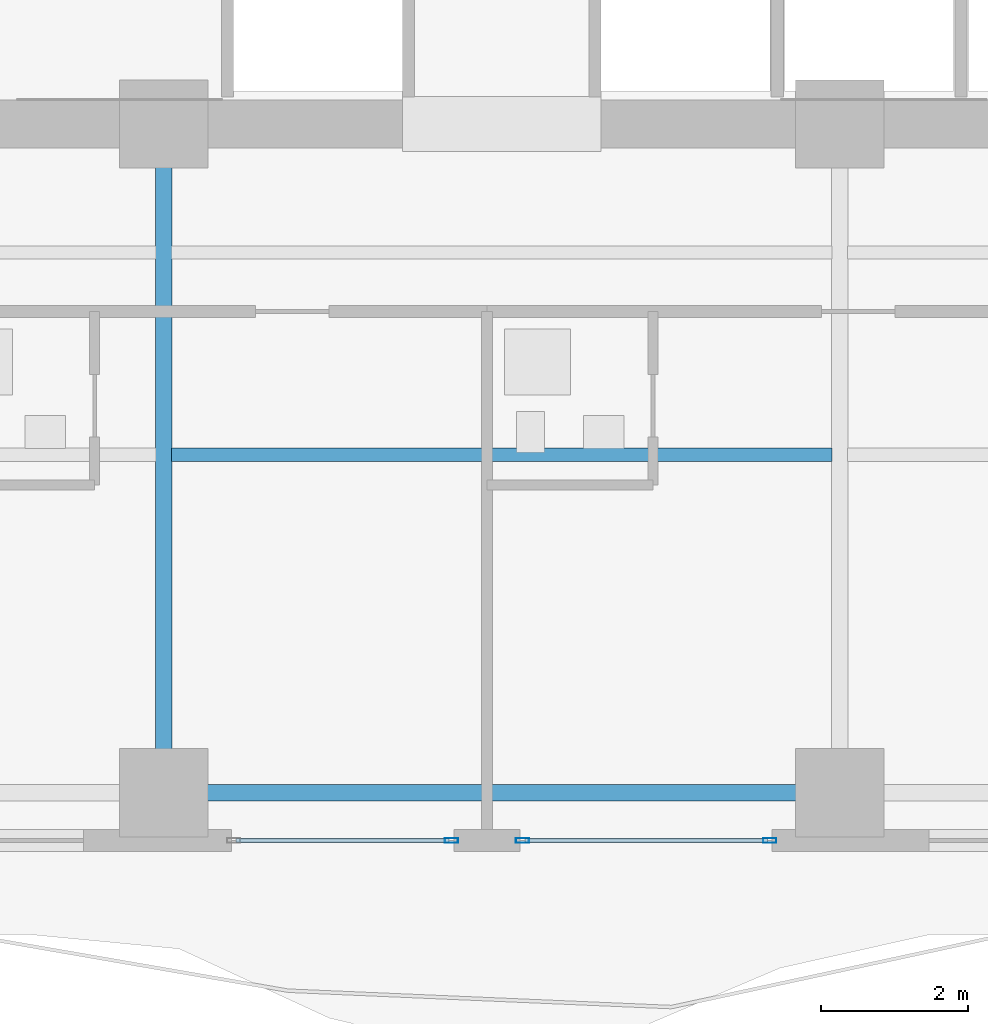
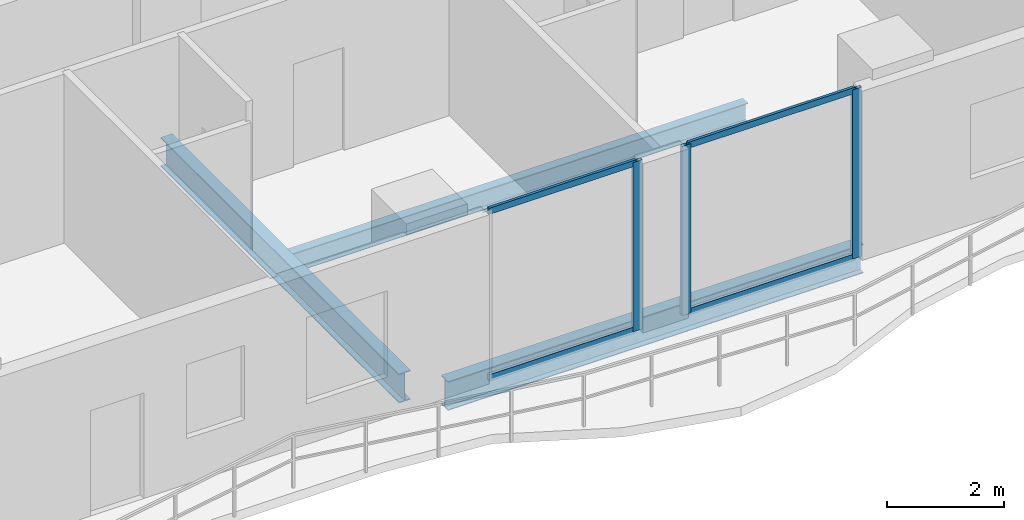
# One storey, part 6 of 33: 7 members, 3 beams, 2 elements without a shape of their own.
"""IFC4 building model written with IfcOpenShell, lengths in metres."""

from ifc_helpers import new_model, si_unit, direction, frame, origin, origin_2d, place, context, subcontext, project, spatial, hollow_rectangle, i_section, extrude, material, layer, layer_set, material_profile, profile_set, type_object, element, aggregate, save


model = new_model("IFC4")

# Units and contexts
model_context = context("Model", 3, precision=1e-05, world=origin(), true_north=direction((0.0, 1.0)))
body_context = subcontext(model_context, "Body", "Model", "MODEL_VIEW")
ifc_project = project(units=[si_unit("LENGTHUNIT", "METRE"), si_unit("AREAUNIT", "SQUARE_METRE"), si_unit("VOLUMEUNIT", "CUBIC_METRE"), si_unit("PLANEANGLEUNIT", "RADIAN"), si_unit("MASSUNIT", "GRAM", prefix="KILO")], contexts=[model_context])

# Site, building, storey
site_placement = place(None, origin())
site = spatial("IfcSite", under=ifc_project, at=site_placement, CompositionType="ELEMENT")
building_placement = place(site_placement, origin())
building = spatial("IfcBuilding", under=site, at=building_placement, Name="Zuhayl Quay Hotel", CompositionType="ELEMENT")
storey_placement = place(building_placement, frame((0.0, 0.0, 199.89990234375)))
storey = spatial("IfcBuildingStorey", under=building, at=storey_placement, Name="L50", CompositionType="ELEMENT", Elevation=199.89990234375)

# Beams
ifc_material_1 = material(Name="Steel ASTM A992 Grade 50", Category="steel")
ifc_material_profile_1 = material_profile(ifc_material_1, i_section(OverallWidth=0.22802734375, OverallDepth=0.60693359375, WebThickness=0.01123046875, FlangeThickness=0.017333984375, at=origin_2d()), Name="W24X76")
ifc_profile_set_1 = profile_set([ifc_material_profile_1], Name="Steel ASTM A992 Grade 50")
beam_type_1 = type_object("IfcBeamType", Name="BM_B3_W24X76", PredefinedType="BEAM", material=ifc_profile_set_1)
beam_1_placement = place(storey_placement, frame((-4.10009765625, -6.949951171875, -0.5234375), z_axis=(1.0, 0.0, 0.0), x_axis=(0.0, 1.0, 0.0)))
element("IfcBeam", 1, at=beam_1_placement, inside=storey, type_object=beam_type_1, Name="L50 Floor Beam RG_L50_02", PredefinedType="BEAM", context=body_context, shape_type="SweptSolid", body=[
    extrude(i_section(OverallWidth=0.22802734375, OverallDepth=0.60693359375, WebThickness=0.01123046875, FlangeThickness=0.017333984375, at=origin_2d()), origin(), (0.0, 0.0, 1.0), 8.2001953125),
])
beam_2_placement = place(storey_placement, frame((-4.60009765625, -6.449951171875, -0.5234375), z_axis=(0.0, 1.0, 0.0), x_axis=(-1.0, 0.0, 0.0)))
element("IfcBeam", 2, at=beam_2_placement, inside=storey, type_object=beam_type_1, Name="L50 Floor Beam FG_S_L50_2", PredefinedType="BEAM", context=body_context, shape_type="SweptSolid", body=[
    extrude(i_section(OverallWidth=0.22802734375, OverallDepth=0.60693359375, WebThickness=0.01123046875, FlangeThickness=0.017333984375, at=origin_2d()), origin(), (0.0, 0.0, 1.0), 8.14990234375),
])
ifc_material_profile_2 = material_profile(ifc_material_1, i_section(OverallWidth=0.177978515625, OverallDepth=0.406005859375, WebThickness=0.0078125, FlangeThickness=0.0126953125, at=origin_2d()), Name="W16X40")
ifc_profile_set_2 = profile_set([ifc_material_profile_2], Name="Steel ASTM A992 Grade 50")
beam_type_2 = type_object("IfcBeamType", Name="BM_J2B_W16X40", PredefinedType="JOIST", material=ifc_profile_set_2)
beam_3_placement = place(storey_placement, frame((-4.493896484375, -2.35009765625, -0.4228515625), z_axis=(1.0, 0.0, 0.0), x_axis=(0.0, 1.0, 0.0)))
element("IfcBeam", 3, at=beam_3_placement, inside=storey, type_object=beam_type_2, Name="L50 Floor Beam FJ_L50_7_2", PredefinedType="JOIST", context=body_context, shape_type="SweptSolid", body=[
    extrude(i_section(OverallWidth=0.177978515625, OverallDepth=0.406005859375, WebThickness=0.0078125, FlangeThickness=0.0126953125, at=origin_2d()), origin(), (0.0, 0.0, 1.0), 8.98779296875),
])

# Curtain wall, members
ifc_material_2 = material(Name="Anodised Aluminium 6063-T6", Category="aluminium")
ifc_layer = layer(ifc_material_2, 0.175048828125, Name="Anodised Aluminium 6063-T6", Category="aluminium")
ifc_layer_set = layer_set([ifc_layer], Name="Anodised Aluminium 6063-T6")
curtain_wall_type = type_object("IfcCurtainWallType", Name="CW_SYS_Z3", PredefinedType="USERDEFINED", material=ifc_layer_set)
curtain_wall_1_placement = place(storey_placement, origin())
curtain_wall_1 = element("IfcCurtainWall", 4, at=curtain_wall_1_placement, inside=storey, type_object=curtain_wall_type, Name="L50 Curtain Wall ENV_L50_S_CW3", ObjectType="UNITISED CURTAIN WALL", PredefinedType="USERDEFINED")
ifc_material_3 = material(Name="Black-anodised aluminium 6063-T6", Category="aluminium")
ifc_material_profile_3 = material_profile(ifc_material_3, hollow_rectangle(XDim=0.06494140625, YDim=0.179931640625, WallThickness=0.00341796875, at=origin_2d()), Name="ALU180X65")
ifc_profile_set_3 = profile_set([ifc_material_profile_3], Name="Black-anodised aluminium 6063-T6")
member_type_1 = type_object("IfcMemberType", Name="MB_CW_MUL_180", PredefinedType="MULLION", material=ifc_profile_set_3)
member_1_placement = place(storey_placement, frame((3.6474609375, -7.60009765625, 0.0), z_axis=(0.0, 0.0, 1.0), x_axis=(0.0, -1.0, 0.0)))
member_1 = element("IfcMember", 5, at=member_1_placement, type_object=member_type_1, Name="CW-Z3 mullion 1", PredefinedType="MULLION", context=body_context, shape_type="SweptSolid", body=[
    extrude(hollow_rectangle(XDim=0.06494140625, YDim=0.179931640625, WallThickness=0.00341796875, at=origin_2d()), origin(), (0.0, 0.0, 1.0), 3.530029296875),
])
member_2_placement = place(storey_placement, frame((0.282470703125, -7.60009765625, 0.0), z_axis=(0.0, 0.0, 1.0), x_axis=(0.0, -1.0, 0.0)))
member_2 = element("IfcMember", 6, at=member_2_placement, type_object=member_type_1, Name="CW-Z3 mullion 2", PredefinedType="MULLION", context=body_context, shape_type="SweptSolid", body=[
    extrude(hollow_rectangle(XDim=0.06494140625, YDim=0.179931640625, WallThickness=0.00341796875, at=origin_2d()), origin(), (0.0, 0.0, 1.0), 3.530029296875),
])

# Curtain wall, member
curtain_wall_2_placement = place(storey_placement, origin())
curtain_wall_2 = element("IfcCurtainWall", 7, at=curtain_wall_2_placement, inside=storey, type_object=curtain_wall_type, Name="L50 Curtain Wall ENV_L50_S_CW4", ObjectType="UNITISED CURTAIN WALL", PredefinedType="USERDEFINED")
member_3_placement = place(storey_placement, frame((-0.6826171875, -7.60009765625, 0.0), z_axis=(0.0, 0.0, 1.0), x_axis=(0.0, -1.0, 0.0)))
member_3 = element("IfcMember", 8, at=member_3_placement, type_object=member_type_1, Name="CW-Z3 mullion 1", PredefinedType="MULLION", context=body_context, shape_type="SweptSolid", body=[
    extrude(hollow_rectangle(XDim=0.06494140625, YDim=0.179931640625, WallThickness=0.00341796875, at=origin_2d()), origin(), (0.0, 0.0, 1.0), 3.530029296875),
])

# Member
ifc_material_profile_4 = material_profile(ifc_material_3, hollow_rectangle(XDim=0.054931640625, YDim=0.1298828125, WallThickness=0.0029296875, at=origin_2d()), Name="ALU130X55")
ifc_profile_set_4 = profile_set([ifc_material_profile_4], Name="Black-anodised aluminium 6063-T6")
member_type_2 = type_object("IfcMemberType", Name="MB_CW_TRN_130", PredefinedType="USERDEFINED", material=ifc_profile_set_4)
member_4_placement = place(storey_placement, frame((3.614990234375, -7.60009765625, 0.027587890625), z_axis=(-1.0, 0.0, 0.0), x_axis=(0.0, -1.0, 0.0)))
member_4 = element("IfcMember", 9, at=member_4_placement, type_object=member_type_2, Name="CW-Z3 transom 1.1", ObjectType="TRANSOM", PredefinedType="USERDEFINED", context=body_context, shape_type="SweptSolid", body=[
    extrude(hollow_rectangle(XDim=0.054931640625, YDim=0.1298828125, WallThickness=0.0029296875, at=origin_2d()), origin(), (0.0, 0.0, 1.0), 3.300048828125),
])

member_5_placement = place(storey_placement, frame((3.614990234375, -7.60009765625, 3.502685546875), z_axis=(-1.0, 0.0, 0.0), x_axis=(0.0, -1.0, 0.0)))
member_5 = element("IfcMember", 10, at=member_5_placement, type_object=member_type_2, Name="CW-Z3 transom 1.2", ObjectType="TRANSOM", PredefinedType="USERDEFINED", context=body_context, shape_type="SweptSolid", body=[
    extrude(hollow_rectangle(XDim=0.054931640625, YDim=0.1298828125, WallThickness=0.0029296875, at=origin_2d()), origin(), (0.0, 0.0, 1.0), 3.300048828125),
])

aggregate(curtain_wall_1, [member_1, member_2, member_4, member_5])

member_6_placement = place(storey_placement, frame((-0.715087890625, -7.60009765625, 0.027587890625), z_axis=(-1.0, 0.0, 0.0), x_axis=(0.0, -1.0, 0.0)))
member_6 = element("IfcMember", 11, at=member_6_placement, type_object=member_type_2, Name="CW-Z3 transom 1.1", ObjectType="TRANSOM", PredefinedType="USERDEFINED", context=body_context, shape_type="SweptSolid", body=[
    extrude(hollow_rectangle(XDim=0.054931640625, YDim=0.1298828125, WallThickness=0.0029296875, at=origin_2d()), origin(), (0.0, 0.0, 1.0), 2.89990234375),
])

member_7_placement = place(storey_placement, frame((-0.715087890625, -7.60009765625, 3.502685546875), z_axis=(-1.0, 0.0, 0.0), x_axis=(0.0, -1.0, 0.0)))
member_7 = element("IfcMember", 12, at=member_7_placement, type_object=member_type_2, Name="CW-Z3 transom 1.2", ObjectType="TRANSOM", PredefinedType="USERDEFINED", context=body_context, shape_type="SweptSolid", body=[
    extrude(hollow_rectangle(XDim=0.054931640625, YDim=0.1298828125, WallThickness=0.0029296875, at=origin_2d()), origin(), (0.0, 0.0, 1.0), 2.89990234375),
])

aggregate(curtain_wall_2, [member_3, member_6, member_7])

save(model, "model.ifc")
